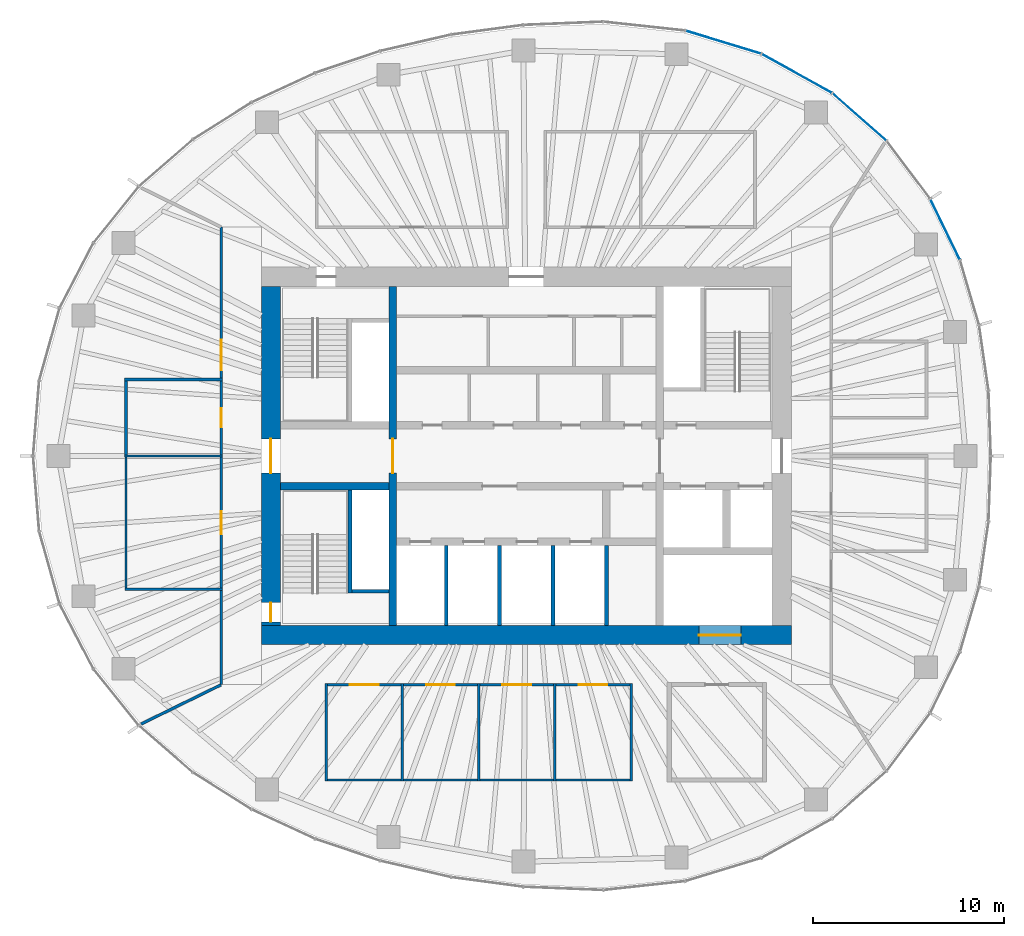
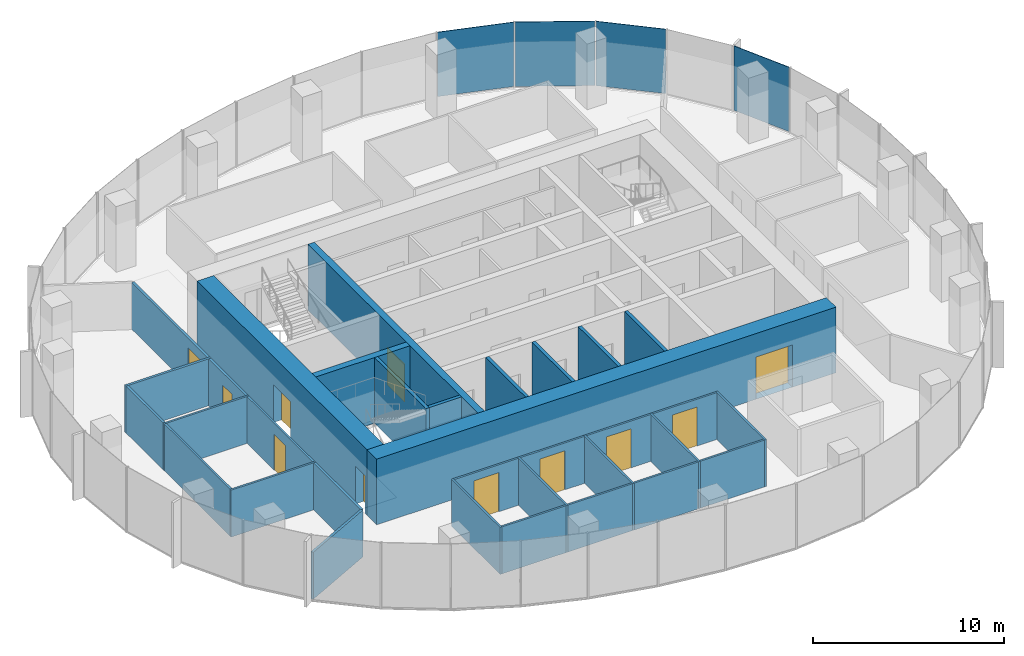
# One storey, part 8 of 11: 33 walls, 11 doors, 4 plates, 11 openings, 3 elements without a shape of their own.
"""IFC4 building model written with IfcOpenShell, lengths in metres."""

from ifc_helpers import new_model, si_unit, direction, frame, frame_2d, origin, origin_2d, place, context, subcontext, project, spatial, rectangle, extrude, material, layer, layer_set, type_object, element, fill, aggregate, save


model = new_model("IFC4")

# Units and contexts
model_context = context("Model", 3, precision=1e-05, world=origin(), true_north=direction((0.0, 1.0)))
body_context = subcontext(model_context, "Body", "Model", "MODEL_VIEW")
ifc_project = project(units=[si_unit("LENGTHUNIT", "METRE"), si_unit("AREAUNIT", "SQUARE_METRE"), si_unit("VOLUMEUNIT", "CUBIC_METRE"), si_unit("PLANEANGLEUNIT", "RADIAN"), si_unit("MASSUNIT", "GRAM", prefix="KILO")], contexts=[model_context])

# Site, building, storey
site_placement = place(None, origin())
site = spatial("IfcSite", under=ifc_project, at=site_placement, CompositionType="ELEMENT")
building_placement = place(site_placement, origin())
building = spatial("IfcBuilding", under=site, at=building_placement, Name="Ghaith Harvest Tower", CompositionType="ELEMENT")
storey_placement = place(building_placement, frame((0.0, 0.0, 275.39990234375)))
storey = spatial("IfcBuildingStorey", under=building, at=storey_placement, Name="L61", CompositionType="ELEMENT", Elevation=275.39990234375)

# Curtain wall, plate
ifc_material_1 = material(Name="Black anodised aluminium and fritted glass", Category="aluminium")
curtain_wall_type = type_object("IfcCurtainWallType", Name="CW-T CURTAIN WALL", PredefinedType="NOTDEFINED", material=ifc_material_1)
curtain_wall_1_placement = place(storey_placement, origin())
curtain_wall_1 = element("IfcCurtainWall", 1, at=curtain_wall_1_placement, inside=storey, type_object=curtain_wall_type, Name="Curtain wall CW-T bay 02 L61", PredefinedType="NOTDEFINED")
ifc_material_2 = material(Name="Glass, dark solar-control fritted double glazed unit", Category="glass")
ifc_layer_1 = layer(ifc_material_2, 0.033935546875)
ifc_layer_set_1 = layer_set([ifc_layer_1], Name="CW-T VISION PANEL")
plate_type = type_object("IfcPlateType", Name="CW-T VISION PANEL", PredefinedType="CURTAIN_PANEL", material=ifc_layer_set_1)
plate_1_placement = place(storey_placement, frame((21.9716796875, 11.878662109375, 0.080078125), z_axis=(0.0, 0.0, 1.0), x_axis=(-0.437968365148, 0.898990384337, 0.0)))
plate_1 = element("IfcPlate", 2, at=plate_1_placement, type_object=plate_type, Name="CW-T glass unit 2 bay 02 L61", PredefinedType="CURTAIN_PANEL", context=body_context, shape_type="SweptSolid", body=[
    extrude(rectangle(XDim=3.49365234375, YDim=0.033935546875, at=origin_2d()), origin(), (0.0, 0.0, 1.0), 4.1201171875),
])
aggregate(curtain_wall_1, [plate_1])

curtain_wall_2_placement = place(storey_placement, origin())
curtain_wall_2 = element("IfcCurtainWall", 3, at=curtain_wall_2_placement, inside=storey, type_object=curtain_wall_type, Name="Curtain wall CW-T bay 03 L61", PredefinedType="NOTDEFINED")
plate_2_placement = place(storey_placement, frame((17.47509765625, 17.779541015625, 0.080078125), z_axis=(0.0, 0.0, 1.0), x_axis=(-0.751334532416, 0.659921525941, 0.0)))
plate_2 = element("IfcPlate", 4, at=plate_2_placement, type_object=plate_type, Name="CW-T glass unit 2 bay 03 L61", PredefinedType="CURTAIN_PANEL", context=body_context, shape_type="SweptSolid", body=[
    extrude(rectangle(XDim=3.7158203125, YDim=0.033935546875, at=origin_2d()), origin(), (0.0, 0.0, 1.0), 4.1201171875),
])
aggregate(curtain_wall_2, [plate_2])

# Curtain wall, plates
curtain_wall_3_placement = place(storey_placement, origin())
curtain_wall_3 = element("IfcCurtainWall", 5, at=curtain_wall_3_placement, inside=storey, type_object=curtain_wall_type, Name="Curtain wall CW-T bay 04 L61", PredefinedType="NOTDEFINED")
plate_3_placement = place(storey_placement, frame((14.19189453125, 20.06201171875, 0.080078125), z_axis=(0.0, 0.0, 1.0), x_axis=(-0.87456402291, 0.484910063653, 0.0)))
plate_3 = element("IfcPlate", 6, at=plate_3_placement, type_object=plate_type, Name="CW-T glass unit 1 bay 04 L61", PredefinedType="CURTAIN_PANEL", context=body_context, shape_type="SweptSolid", body=[
    extrude(rectangle(XDim=4.167724609375, YDim=0.033935546875, at=origin_2d()), origin(), (0.0, 0.0, 1.0), 4.1201171875),
])
plate_4_placement = place(storey_placement, frame((10.337158203125, 21.700439453125, 0.080078125), z_axis=(0.0, 0.0, 1.0), x_axis=(-0.956587736124, 0.291444511181, 0.0)))
plate_4 = element("IfcPlate", 7, at=plate_4_placement, type_object=plate_type, Name="CW-T glass unit 2 bay 04 L61", PredefinedType="CURTAIN_PANEL", context=body_context, shape_type="SweptSolid", body=[
    extrude(rectangle(XDim=4.095703125, YDim=0.033935546875, at=origin_2d()), origin(), (0.0, 0.0, 1.0), 4.1201171875),
])
aggregate(curtain_wall_3, [plate_3, plate_4])

# Wall, opening, door
ifc_material_3 = material(Name="Concrete C50/60", Category="concrete")
ifc_layer_2 = layer(ifc_material_3, 1.0)
ifc_layer_set_2 = layer_set([ifc_layer_2], Name="CORE WALL CW1000")
wall_type_1 = type_object("IfcWallType", Name="CORE WALL CW1000", PredefinedType="SHEAR", material=ifc_layer_set_2)
wall_1_placement = place(storey_placement, frame((-13.89990234375, -9.39990234375, 0.0), z_axis=(0.0, 0.0, 1.0), x_axis=(1.0, 0.0, 0.0)))
wall_1 = element("IfcWall", 8, at=wall_1_placement, inside=storey, type_object=wall_type_1, Name="Core wall S L61", PredefinedType="SHEAR", context=body_context, shape_type="SweptSolid", body=[
    extrude(rectangle(XDim=27.7998046875, YDim=1.0, at=frame_2d((13.89990234375, 0.0))), origin(), (0.0, 0.0, 1.0), 4.2001953125),
])
opening_1_placement = place(wall_1_placement, frame((22.949951171875, 0.0, 0.0)))
opening_1 = element("IfcOpeningElement", 9, at=opening_1_placement, cuts=wall_1, Name="Opening 61-025", PredefinedType="OPENING", context=body_context, shape_type="SweptSolid", body=[
    extrude(rectangle(XDim=2.199951171875, YDim=2.699951171875, at=frame_2d((1.10009765625, 1.35009765625))), frame((0.0, 0.510009765625, 0.0), z_axis=(0.0, -1.0, 0.0), x_axis=(1.0, 0.0, 0.0)), (0.0, 0.0, 1.0), 1.02001953125),
])
ifc_material_4 = material(Name="Steel fire door", Category="steel")
door_type_1 = type_object("IfcDoorType", Name="LD3 LANDING 2200x2700", OperationType="DOUBLE_DOOR_SLIDING", PredefinedType="DOOR", material=ifc_material_4)
door_1_placement = place(opening_1_placement, origin())
door_1 = element("IfcDoor", 10, at=door_1_placement, inside=storey, type_object=door_type_1, Name="Landing door, goods lift GL1", OperationType="DOUBLE_DOOR_SLIDING", OverallHeight=2.699951171875, OverallWidth=2.199951171875, PredefinedType="DOOR", context=body_context, shape_type="SweptSolid", body=[
    extrude(rectangle(XDim=2.199951171875, YDim=2.699951171875, at=frame_2d((1.10009765625, 1.35009765625))), frame((0.0, 0.02490234375, 0.0), z_axis=(0.0, -1.0, 0.0), x_axis=(1.0, 0.0, 0.0)), (0.0, 0.0, 1.0), 0.050048828125),
])
fill(opening_1, door_1)

# Wall, openings, doors
wall_2_placement = place(storey_placement, frame((-13.39990234375, 8.89990234375, 0.0), z_axis=(0.0, 0.0, 1.0), x_axis=(0.0, -1.0, 0.0)))
wall_2 = element("IfcWall", 11, at=wall_2_placement, inside=storey, type_object=wall_type_1, Name="Core wall W L61", PredefinedType="SHEAR", context=body_context, shape_type="SweptSolid", body=[
    extrude(rectangle(XDim=17.7998046875, YDim=1.0, at=frame_2d((8.89990234375, 0.0))), origin(), (0.0, 0.0, 1.0), 4.2001953125),
])
opening_2_placement = place(wall_2_placement, frame((8.0, 0.0, 0.0)))
opening_2 = element("IfcOpeningElement", 12, at=opening_2_placement, cuts=wall_2, Name="Opening 61-001", PredefinedType="OPENING", context=body_context, shape_type="SweptSolid", body=[
    extrude(rectangle(XDim=1.800048828125, YDim=2.39990234375, at=frame_2d((0.89990234375, 1.199951171875))), frame((0.0, 0.510009765625, 0.0), z_axis=(0.0, -1.0, 0.0), x_axis=(1.0, 0.0, 0.0)), (0.0, 0.0, 1.0), 1.02001953125),
])
opening_3_placement = place(wall_2_placement, frame((16.60009765625, 0.0, 0.0)))
opening_3 = element("IfcOpeningElement", 13, at=opening_3_placement, cuts=wall_2, Name="Opening 61-006", PredefinedType="OPENING", context=body_context, shape_type="SweptSolid", body=[
    extrude(rectangle(XDim=1.0, YDim=2.39990234375, at=frame_2d((0.5, 1.199951171875))), frame((0.0, 0.510009765625, 0.0), z_axis=(0.0, -1.0, 0.0), x_axis=(1.0, 0.0, 0.0)), (0.0, 0.0, 1.0), 1.02001953125),
])
ifc_material_5 = material(Name="Steel fire door", Category="steel")
door_type_2 = type_object("IfcDoorType", Name="D3 FD90 1000x2400", OperationType="SINGLE_SWING_LEFT", PredefinedType="DOOR", material=ifc_material_5)
door_2_placement = place(opening_3_placement, origin())
door_2 = element("IfcDoor", 14, at=door_2_placement, inside=storey, type_object=door_type_2, Name="Stair ST3 door", OperationType="SINGLE_SWING_RIGHT", OverallHeight=2.39990234375, OverallWidth=1.0, PredefinedType="DOOR", context=body_context, shape_type="SweptSolid", body=[
    extrude(rectangle(XDim=1.0, YDim=2.39990234375, at=frame_2d((0.5, 1.199951171875))), frame((0.0, 0.02490234375, 0.0), z_axis=(0.0, -1.0, 0.0), x_axis=(1.0, 0.0, 0.0)), (0.0, 0.0, 1.0), 0.050048828125),
])
fill(opening_3, door_2)
ifc_material_6 = material(Name="Steel fire door", Category="steel")
door_type_3 = type_object("IfcDoorType", Name="D4 FD90 PAIR 1800x2400", OperationType="DOUBLE_DOOR_SINGLE_SWING", PredefinedType="DOOR", material=ifc_material_6)
door_3_placement = place(opening_2_placement, origin())
door_3 = element("IfcDoor", 15, at=door_3_placement, inside=storey, type_object=door_type_3, Name="West lobby doors", OperationType="DOUBLE_DOOR_SINGLE_SWING", OverallHeight=2.39990234375, OverallWidth=1.800048828125, PredefinedType="DOOR", context=body_context, shape_type="SweptSolid", body=[
    extrude(rectangle(XDim=1.800048828125, YDim=2.39990234375, at=frame_2d((0.89990234375, 1.199951171875))), frame((0.0, 0.02490234375, 0.0), z_axis=(0.0, -1.0, 0.0), x_axis=(1.0, 0.0, 0.0)), (0.0, 0.0, 1.0), 0.050048828125),
])
fill(opening_2, door_3)

# Walls
ifc_material_7 = material(Name="Insulated food-grade panel", Category="steel")
ifc_layer_3 = layer(ifc_material_7, 0.1201171875)
ifc_layer_set_3 = layer_set([ifc_layer_3], Name="INSULATED PANEL WALL 120")
wall_type_2 = type_object("IfcWallType", Name="INSULATED PANEL WALL 120", PredefinedType="PARTITIONING", material=ifc_layer_set_3)
for number, where, z_axis, x_axis, name in (
    (16, (-10.5, -11.93994140625, 0.0), (0.0, 0.0, 1.0), (0.0, -1.0, 0.0), "Partition L61 row S3 cross wall 1"),
    (17, (-6.5, -11.93994140625, 0.0), (0.0, 0.0, 1.0), (0.0, -1.0, 0.0), "Partition L61 row S3 cross wall 2"),
    (18, (-2.5, -11.93994140625, 0.0), (0.0, 0.0, 1.0), (0.0, -1.0, 0.0), "Partition L61 row S3 cross wall 3"),
    (19, (1.5, -11.93994140625, 0.0), (0.0, 0.0, 1.0), (0.0, -1.0, 0.0), "Partition L61 row S3 cross wall 4"),
    (20, (5.5, -11.93994140625, 0.0), (0.0, 0.0, 1.0), (0.0, -1.0, 0.0), "Partition L61 row S3 cross wall 5"),
):
    element("IfcWall", number, at=place(storey_placement, frame(where, z_axis=z_axis, x_axis=x_axis)), inside=storey, type_object=wall_type_2, Name=name, PredefinedType="PARTITIONING", context=body_context, shape_type="SweptSolid", body=[
        extrude(rectangle(XDim=5.1201171875, YDim=0.1201171875, at=frame_2d((2.56005859375, 0.0))), origin(), (0.0, 0.0, 1.0), 3.0),
    ])

# Wall, opening, door
wall_3_placement = place(storey_placement, frame((-10.43994140625, -12.0, 0.0), z_axis=(0.0, 0.0, 1.0), x_axis=(1.0, 0.0, 0.0)))
wall_3 = element("IfcWall", 21, at=wall_3_placement, inside=storey, type_object=wall_type_2, Name="Partition L61-04", PredefinedType="PARTITIONING", context=body_context, shape_type="SweptSolid", body=[
    extrude(rectangle(XDim=3.8798828125, YDim=0.1201171875, at=frame_2d((1.93994140625, 0.0))), origin(), (0.0, 0.0, 1.0), 3.0),
])
opening_4_placement = place(wall_3_placement, frame((1.18994140625, 0.0, 0.0)))
opening_4 = element("IfcOpeningElement", 22, at=opening_4_placement, cuts=wall_3, Name="Opening 61-029", PredefinedType="OPENING", context=body_context, shape_type="SweptSolid", body=[
    extrude(rectangle(XDim=1.5, YDim=2.5, at=frame_2d((0.75, 1.25))), frame((0.0, 0.070068359375, 0.0), z_axis=(0.0, -1.0, 0.0), x_axis=(1.0, 0.0, 0.0)), (0.0, 0.0, 1.0), 0.14013671875),
])
ifc_material_8 = material(Name="Insulated steel sliding door", Category="steel")
door_type_4 = type_object("IfcDoorType", Name="D13 COLD STORE SLIDING 1500x2500", OperationType="SLIDING_TO_LEFT", PredefinedType="DOOR", material=ifc_material_8)
door_4_placement = place(opening_4_placement, origin())
door_4 = element("IfcDoor", 23, at=door_4_placement, inside=storey, type_object=door_type_4, Name="Growth chamber door", OperationType="SLIDING_TO_LEFT", OverallHeight=2.5, OverallWidth=1.5, PredefinedType="DOOR", context=body_context, shape_type="SweptSolid", body=[
    extrude(rectangle(XDim=1.5, YDim=2.5, at=frame_2d((0.75, 1.25))), frame((0.0, 0.02490234375, 0.0), z_axis=(0.0, -1.0, 0.0), x_axis=(1.0, 0.0, 0.0)), (0.0, 0.0, 1.0), 0.050048828125),
])
fill(opening_4, door_4)

# Wall
wall_4_placement = place(storey_placement, frame((-10.43994140625, -17.0, 0.0), z_axis=(0.0, 0.0, 1.0), x_axis=(1.0, 0.0, 0.0)))
element("IfcWall", 24, at=wall_4_placement, inside=storey, type_object=wall_type_2, Name="Partition L61-04", PredefinedType="PARTITIONING", context=body_context, shape_type="SweptSolid", body=[
    extrude(rectangle(XDim=3.8798828125, YDim=0.1201171875, at=frame_2d((1.93994140625, 0.0))), origin(), (0.0, 0.0, 1.0), 3.0),
])

# Wall, opening, door
wall_5_placement = place(storey_placement, frame((-6.43994140625, -12.0, 0.0), z_axis=(0.0, 0.0, 1.0), x_axis=(1.0, 0.0, 0.0)))
wall_5 = element("IfcWall", 25, at=wall_5_placement, inside=storey, type_object=wall_type_2, Name="Partition L61-05", PredefinedType="PARTITIONING", context=body_context, shape_type="SweptSolid", body=[
    extrude(rectangle(XDim=3.8798828125, YDim=0.1201171875, at=frame_2d((1.93994140625, 0.0))), origin(), (0.0, 0.0, 1.0), 3.0),
])
opening_5_placement = place(wall_5_placement, frame((1.18994140625, 0.0, 0.0)))
opening_5 = element("IfcOpeningElement", 26, at=opening_5_placement, cuts=wall_5, Name="Opening 61-030", PredefinedType="OPENING", context=body_context, shape_type="SweptSolid", body=[
    extrude(rectangle(XDim=1.5, YDim=2.5, at=frame_2d((0.75, 1.25))), frame((0.0, 0.070068359375, 0.0), z_axis=(0.0, -1.0, 0.0), x_axis=(1.0, 0.0, 0.0)), (0.0, 0.0, 1.0), 0.14013671875),
])
door_5_placement = place(opening_5_placement, origin())
door_5 = element("IfcDoor", 27, at=door_5_placement, inside=storey, type_object=door_type_4, Name="Growth chamber door", OperationType="SLIDING_TO_LEFT", OverallHeight=2.5, OverallWidth=1.5, PredefinedType="DOOR", context=body_context, shape_type="SweptSolid", body=[
    extrude(rectangle(XDim=1.5, YDim=2.5, at=frame_2d((0.75, 1.25))), frame((0.0, 0.02490234375, 0.0), z_axis=(0.0, -1.0, 0.0), x_axis=(1.0, 0.0, 0.0)), (0.0, 0.0, 1.0), 0.050048828125),
])
fill(opening_5, door_5)

# Wall
wall_6_placement = place(storey_placement, frame((-6.43994140625, -17.0, 0.0), z_axis=(0.0, 0.0, 1.0), x_axis=(1.0, 0.0, 0.0)))
element("IfcWall", 28, at=wall_6_placement, inside=storey, type_object=wall_type_2, Name="Partition L61-05", PredefinedType="PARTITIONING", context=body_context, shape_type="SweptSolid", body=[
    extrude(rectangle(XDim=3.8798828125, YDim=0.1201171875, at=frame_2d((1.93994140625, 0.0))), origin(), (0.0, 0.0, 1.0), 3.0),
])

# Wall, opening, door
wall_7_placement = place(storey_placement, frame((-2.43994140625, -12.0, 0.0), z_axis=(0.0, 0.0, 1.0), x_axis=(1.0, 0.0, 0.0)))
wall_7 = element("IfcWall", 29, at=wall_7_placement, inside=storey, type_object=wall_type_2, Name="Partition L61-06", PredefinedType="PARTITIONING", context=body_context, shape_type="SweptSolid", body=[
    extrude(rectangle(XDim=3.8798828125, YDim=0.1201171875, at=frame_2d((1.93994140625, 0.0))), origin(), (0.0, 0.0, 1.0), 3.0),
])
opening_6_placement = place(wall_7_placement, frame((1.18994140625, 0.0, 0.0)))
opening_6 = element("IfcOpeningElement", 30, at=opening_6_placement, cuts=wall_7, Name="Opening 61-031", PredefinedType="OPENING", context=body_context, shape_type="SweptSolid", body=[
    extrude(rectangle(XDim=1.5, YDim=2.5, at=frame_2d((0.75, 1.25))), frame((0.0, 0.070068359375, 0.0), z_axis=(0.0, -1.0, 0.0), x_axis=(1.0, 0.0, 0.0)), (0.0, 0.0, 1.0), 0.14013671875),
])
door_6_placement = place(opening_6_placement, origin())
door_6 = element("IfcDoor", 31, at=door_6_placement, inside=storey, type_object=door_type_4, Name="Growth chamber door", OperationType="SLIDING_TO_LEFT", OverallHeight=2.5, OverallWidth=1.5, PredefinedType="DOOR", context=body_context, shape_type="SweptSolid", body=[
    extrude(rectangle(XDim=1.5, YDim=2.5, at=frame_2d((0.75, 1.25))), frame((0.0, 0.02490234375, 0.0), z_axis=(0.0, -1.0, 0.0), x_axis=(1.0, 0.0, 0.0)), (0.0, 0.0, 1.0), 0.050048828125),
])
fill(opening_6, door_6)

# Wall
wall_8_placement = place(storey_placement, frame((-2.43994140625, -17.0, 0.0), z_axis=(0.0, 0.0, 1.0), x_axis=(1.0, 0.0, 0.0)))
element("IfcWall", 32, at=wall_8_placement, inside=storey, type_object=wall_type_2, Name="Partition L61-06", PredefinedType="PARTITIONING", context=body_context, shape_type="SweptSolid", body=[
    extrude(rectangle(XDim=3.8798828125, YDim=0.1201171875, at=frame_2d((1.93994140625, 0.0))), origin(), (0.0, 0.0, 1.0), 3.0),
])

# Wall, opening, door
wall_9_placement = place(storey_placement, frame((1.56005859375, -12.0, 0.0), z_axis=(0.0, 0.0, 1.0), x_axis=(1.0, 0.0, 0.0)))
wall_9 = element("IfcWall", 33, at=wall_9_placement, inside=storey, type_object=wall_type_2, Name="Partition L61-07", PredefinedType="PARTITIONING", context=body_context, shape_type="SweptSolid", body=[
    extrude(rectangle(XDim=3.8798828125, YDim=0.1201171875, at=frame_2d((1.93994140625, 0.0))), origin(), (0.0, 0.0, 1.0), 3.0),
])
opening_7_placement = place(wall_9_placement, frame((1.18994140625, 0.0, 0.0)))
opening_7 = element("IfcOpeningElement", 34, at=opening_7_placement, cuts=wall_9, Name="Opening 61-032", PredefinedType="OPENING", context=body_context, shape_type="SweptSolid", body=[
    extrude(rectangle(XDim=1.5, YDim=2.5, at=frame_2d((0.75, 1.25))), frame((0.0, 0.070068359375, 0.0), z_axis=(0.0, -1.0, 0.0), x_axis=(1.0, 0.0, 0.0)), (0.0, 0.0, 1.0), 0.14013671875),
])
door_7_placement = place(opening_7_placement, origin())
door_7 = element("IfcDoor", 35, at=door_7_placement, inside=storey, type_object=door_type_4, Name="Growth chamber door", OperationType="SLIDING_TO_LEFT", OverallHeight=2.5, OverallWidth=1.5, PredefinedType="DOOR", context=body_context, shape_type="SweptSolid", body=[
    extrude(rectangle(XDim=1.5, YDim=2.5, at=frame_2d((0.75, 1.25))), frame((0.0, 0.02490234375, 0.0), z_axis=(0.0, -1.0, 0.0), x_axis=(1.0, 0.0, 0.0)), (0.0, 0.0, 1.0), 0.050048828125),
])
fill(opening_7, door_7)

# Walls
wall_10_placement = place(storey_placement, frame((1.56005859375, -17.0, 0.0), z_axis=(0.0, 0.0, 1.0), x_axis=(1.0, 0.0, 0.0)))
element("IfcWall", 36, at=wall_10_placement, inside=storey, type_object=wall_type_2, Name="Partition L61-07", PredefinedType="PARTITIONING", context=body_context, shape_type="SweptSolid", body=[
    extrude(rectangle(XDim=3.8798828125, YDim=0.1201171875, at=frame_2d((1.93994140625, 0.0))), origin(), (0.0, 0.0, 1.0), 3.0),
])
wall_11_placement = place(storey_placement, frame((-15.93994140625, -7.0, 0.0), z_axis=(0.0, 0.0, 1.0), x_axis=(-1.0, 0.0, 0.0)))
element("IfcWall", 37, at=wall_11_placement, inside=storey, type_object=wall_type_2, Name="Partition L61 row W5 cross wall 1", PredefinedType="PARTITIONING", context=body_context, shape_type="SweptSolid", body=[
    extrude(rectangle(XDim=5.1201171875, YDim=0.1201171875, at=frame_2d((2.56005859375, 0.0))), origin(), (0.0, 0.0, 1.0), 3.0),
])
wall_12_placement = place(storey_placement, frame((-15.925048828125, 0.0, 0.0), z_axis=(0.0, 0.0, 1.0), x_axis=(-1.0, 0.0, 0.0)))
element("IfcWall", 38, at=wall_12_placement, inside=storey, type_object=wall_type_2, Name="Partition L61 row W5 cross wall 2", PredefinedType="PARTITIONING", context=body_context, shape_type="SweptSolid", body=[
    extrude(rectangle(XDim=5.14990234375, YDim=0.1201171875, at=frame_2d((2.574951171875, 0.0))), origin(), (0.0, 0.0, 1.0), 3.0),
])

# Wall, opening, door
wall_13_placement = place(storey_placement, frame((-16.0, -6.93994140625, 0.0), z_axis=(0.0, 0.0, 1.0), x_axis=(0.0, 1.0, 0.0)))
wall_13 = element("IfcWall", 39, at=wall_13_placement, inside=storey, type_object=wall_type_2, Name="Partition L61-09", PredefinedType="PARTITIONING", context=body_context, shape_type="SweptSolid", body=[
    extrude(rectangle(XDim=6.8798828125, YDim=0.1201171875, at=frame_2d((3.43994140625, 0.0))), origin(), (0.0, 0.0, 1.0), 3.0),
])
opening_8_placement = place(wall_13_placement, frame((2.840087890625, 0.0, 0.0)))
opening_8 = element("IfcOpeningElement", 40, at=opening_8_placement, cuts=wall_13, Name="Opening 61-034", PredefinedType="OPENING", context=body_context, shape_type="SweptSolid", body=[
    extrude(rectangle(XDim=1.199951171875, YDim=2.300048828125, at=frame_2d((0.60009765625, 1.14990234375))), frame((0.0, 0.070068359375, 0.0), z_axis=(0.0, -1.0, 0.0), x_axis=(1.0, 0.0, 0.0)), (0.0, 0.0, 1.0), 0.14013671875),
])
ifc_material_9 = material(Name="Timber door with vision panel", Category="wood")
door_type_5 = type_object("IfcDoorType", Name="D15 LABORATORY 1200x2300", OperationType="SINGLE_SWING_LEFT", PredefinedType="DOOR", material=ifc_material_9)
door_8_placement = place(opening_8_placement, origin())
door_8 = element("IfcDoor", 41, at=door_8_placement, inside=storey, type_object=door_type_5, Name="Culture laboratory door", OperationType="SINGLE_SWING_LEFT", OverallHeight=2.300048828125, OverallWidth=1.199951171875, PredefinedType="DOOR", context=body_context, shape_type="SweptSolid", body=[
    extrude(rectangle(XDim=1.199951171875, YDim=2.300048828125, at=frame_2d((0.60009765625, 1.14990234375))), frame((0.0, 0.02490234375, 0.0), z_axis=(0.0, -1.0, 0.0), x_axis=(1.0, 0.0, 0.0)), (0.0, 0.0, 1.0), 0.050048828125),
])
fill(opening_8, door_8)

# Walls
wall_14_placement = place(storey_placement, frame((-21.0, -6.93994140625, 0.0), z_axis=(0.0, 0.0, 1.0), x_axis=(0.0, 1.0, 0.0)))
element("IfcWall", 42, at=wall_14_placement, inside=storey, type_object=wall_type_2, Name="Partition L61-09", PredefinedType="PARTITIONING", context=body_context, shape_type="SweptSolid", body=[
    extrude(rectangle(XDim=6.8798828125, YDim=0.1201171875, at=frame_2d((3.43994140625, 0.0))), origin(), (0.0, 0.0, 1.0), 3.0),
])
ifc_material_10 = material(Name="Concrete blockwork, 2-hour", Category="masonry")
ifc_layer_4 = layer(ifc_material_10, 0.199951171875)
ifc_layer_set_4 = layer_set([ifc_layer_4], Name="LIFT SHAFT WALL 200")
wall_type_3 = type_object("IfcWallType", Name="LIFT SHAFT WALL 200", PredefinedType="PARTITIONING", material=ifc_layer_set_4)
for number, where, z_axis, x_axis, name in (
    (43, (-4.199951171875, -4.699951171875, 0.0), (0.0, 0.0, 1.0), (0.0, -1.0, 0.0), "Lift shaft wall L61"),
    (44, (-1.39990234375, -4.699951171875, 0.0), (0.0, 0.0, 1.0), (0.0, -1.0, 0.0), "Lift shaft wall L61"),
    (45, (1.39990234375, -4.699951171875, 0.0), (0.0, 0.0, 1.0), (0.0, -1.0, 0.0), "Lift shaft wall L61"),
    (46, (4.199951171875, -4.699951171875, 0.0), (0.0, 0.0, 1.0), (0.0, -1.0, 0.0), "Lift shaft wall L61"),
):
    element("IfcWall", number, at=place(storey_placement, frame(where, z_axis=z_axis, x_axis=x_axis)), inside=storey, type_object=wall_type_3, Name=name, PredefinedType="PARTITIONING", context=body_context, shape_type="SweptSolid", body=[
        extrude(rectangle(XDim=4.199951171875, YDim=0.199951171875, at=frame_2d((2.10009765625, 0.0))), origin(), (0.0, 0.0, 1.0), 4.2001953125),
    ])
ifc_material_11 = material(Name="Gypsum board on steel studs", Category="steel")
ifc_layer_5 = layer(ifc_material_11, 0.14990234375)
ifc_layer_set_5 = layer_set([ifc_layer_5], Name="PARTITION 150")
wall_type_4 = type_object("IfcWallType", Name="PARTITION 150", PredefinedType="PARTITIONING", material=ifc_layer_set_5)
wall_15_placement = place(storey_placement, frame((-15.925048828125, 4.0, 0.0), z_axis=(0.0, 0.0, 1.0), x_axis=(-1.0, 0.0, 0.0)))
element("IfcWall", 47, at=wall_15_placement, inside=storey, type_object=wall_type_4, Name="Partition L61 row W5 cross wall 3", PredefinedType="PARTITIONING", context=body_context, shape_type="SweptSolid", body=[
    extrude(rectangle(XDim=5.14990234375, YDim=0.14990234375, at=frame_2d((2.574951171875, 0.0))), origin(), (0.0, 0.0, 1.0), 3.0),
])

# Wall, opening, door
wall_16_placement = place(storey_placement, frame((-16.0, 0.06005859375, 0.0), z_axis=(0.0, 0.0, 1.0), x_axis=(0.0, 1.0, 0.0)))
wall_16 = element("IfcWall", 48, at=wall_16_placement, inside=storey, type_object=wall_type_4, Name="Partition L61-10", PredefinedType="PARTITIONING", context=body_context, shape_type="SweptSolid", body=[
    extrude(rectangle(XDim=3.864990234375, YDim=0.14990234375, at=frame_2d((1.9326171875, 0.0))), origin(), (0.0, 0.0, 1.0), 3.0),
])
opening_9_placement = place(wall_16_placement, frame((1.4326171875, 0.0, 0.0)))
opening_9 = element("IfcOpeningElement", 49, at=opening_9_placement, cuts=wall_16, Name="Opening 61-035", PredefinedType="OPENING", context=body_context, shape_type="SweptSolid", body=[
    extrude(rectangle(XDim=1.0, YDim=2.199951171875, at=frame_2d((0.5, 1.10009765625))), frame((0.0, 0.0849609375, 0.0), z_axis=(0.0, -1.0, 0.0), x_axis=(1.0, 0.0, 0.0)), (0.0, 0.0, 1.0), 0.169921875),
])
ifc_material_12 = material(Name="Timber door", Category="wood")
door_type_6 = type_object("IfcDoorType", Name="D1 SINGLE 1000x2200", OperationType="SINGLE_SWING_LEFT", PredefinedType="DOOR", material=ifc_material_12)
door_9_placement = place(opening_9_placement, origin())
door_9 = element("IfcDoor", 50, at=door_9_placement, inside=storey, type_object=door_type_6, Name="Store door", OperationType="SINGLE_SWING_LEFT", OverallHeight=2.199951171875, OverallWidth=1.0, PredefinedType="DOOR", context=body_context, shape_type="SweptSolid", body=[
    extrude(rectangle(XDim=1.0, YDim=2.199951171875, at=frame_2d((0.5, 1.10009765625))), frame((0.0, 0.02490234375, 0.0), z_axis=(0.0, -1.0, 0.0), x_axis=(1.0, 0.0, 0.0)), (0.0, 0.0, 1.0), 0.050048828125),
])
fill(opening_9, door_9)

# Walls
wall_17_placement = place(storey_placement, frame((-21.0, 0.06005859375, 0.0), z_axis=(0.0, 0.0, 1.0), x_axis=(0.0, 1.0, 0.0)))
element("IfcWall", 51, at=wall_17_placement, inside=storey, type_object=wall_type_4, Name="Partition L61-10", PredefinedType="PARTITIONING", context=body_context, shape_type="SweptSolid", body=[
    extrude(rectangle(XDim=3.864990234375, YDim=0.14990234375, at=frame_2d((1.9326171875, 0.0))), origin(), (0.0, 0.0, 1.0), 3.0),
])
wall_18_placement = place(storey_placement, frame((-16.017822265625, -12.0087890625, 0.0), z_axis=(0.0, 0.0, 1.0), x_axis=(-0.897771840996, -0.440460805879, 0.0)))
element("IfcWall", 52, at=wall_18_placement, inside=storey, type_object=wall_type_4, Name="Partition L61 zone division", PredefinedType="PARTITIONING", context=body_context, shape_type="SweptSolid", body=[
    extrude(rectangle(XDim=4.66552734375, YDim=0.14990234375, at=frame_2d((2.332763671875, 0.0))), origin(), (0.0, 0.0, 1.0), 3.0),
])
wall_19_placement = place(storey_placement, frame((-16.0, -7.0, 0.0), z_axis=(0.0, 0.0, 1.0), x_axis=(0.0, -1.0, 0.0)))
element("IfcWall", 53, at=wall_19_placement, inside=storey, type_object=wall_type_4, Name="Partition L61 zone enclosure", PredefinedType="PARTITIONING", context=body_context, shape_type="SweptSolid", body=[
    extrude(rectangle(XDim=5.0, YDim=0.14990234375, at=frame_2d((2.5, 0.0))), origin(), (0.0, 0.0, 1.0), 3.0),
])

# Wall, opening, door
wall_20_placement = place(storey_placement, frame((-16.0, 12.0, 0.0), z_axis=(0.0, 0.0, 1.0), x_axis=(0.0, -1.0, 0.0)))
wall_20 = element("IfcWall", 54, at=wall_20_placement, inside=storey, type_object=wall_type_4, Name="Partition L61 zone enclosure", PredefinedType="PARTITIONING", context=body_context, shape_type="SweptSolid", body=[
    extrude(rectangle(XDim=8.0, YDim=0.14990234375, at=frame_2d((4.0, 0.0))), origin(), (0.0, 0.0, 1.0), 3.0),
])
opening_10_placement = place(wall_20_placement, frame((5.89990234375, 0.0, 0.0)))
opening_10 = element("IfcOpeningElement", 55, at=opening_10_placement, cuts=wall_20, Name="Opening 61-039", PredefinedType="OPENING", context=body_context, shape_type="SweptSolid", body=[
    extrude(rectangle(XDim=1.60009765625, YDim=2.39990234375, at=frame_2d((0.800048828125, 1.199951171875))), frame((0.0, 0.0849609375, 0.0), z_axis=(0.0, -1.0, 0.0), x_axis=(1.0, 0.0, 0.0)), (0.0, 0.0, 1.0), 0.169921875),
])
ifc_material_13 = material(Name="Timber door", Category="wood")
door_type_7 = type_object("IfcDoorType", Name="D2 PAIR 1600x2400", OperationType="DOUBLE_DOOR_SINGLE_SWING", PredefinedType="DOOR", material=ifc_material_13)
door_10_placement = place(opening_10_placement, origin())
door_10 = element("IfcDoor", 56, at=door_10_placement, inside=storey, type_object=door_type_7, Name="Tissue culture growing area west door", OperationType="DOUBLE_DOOR_SINGLE_SWING", OverallHeight=2.39990234375, OverallWidth=1.60009765625, PredefinedType="DOOR", context=body_context, shape_type="SweptSolid", body=[
    extrude(rectangle(XDim=1.60009765625, YDim=2.39990234375, at=frame_2d((0.800048828125, 1.199951171875))), frame((0.0, 0.02490234375, 0.0), z_axis=(0.0, -1.0, 0.0), x_axis=(1.0, 0.0, 0.0)), (0.0, 0.0, 1.0), 0.050048828125),
])
fill(opening_10, door_10)

ifc_material_14 = material(Name="Concrete C70/85", Category="concrete")
ifc_layer_6 = layer(ifc_material_14, 0.39990234375)
ifc_layer_set_6 = layer_set([ifc_layer_6], Name="SHAFT WALL 400")
wall_type_5 = type_object("IfcWallType", Name="SHAFT WALL 400", PredefinedType="SHEAR", material=ifc_layer_set_6)
wall_21_placement = place(storey_placement, frame((-7.0, -8.89990234375, 0.0), z_axis=(0.0, 0.0, 1.0), x_axis=(0.0, 1.0, 0.0)))
wall_21 = element("IfcWall", 57, at=wall_21_placement, inside=storey, type_object=wall_type_5, Name="Shaft wall W7W L61", PredefinedType="SHEAR", context=body_context, shape_type="SweptSolid", body=[
    extrude(rectangle(XDim=17.7998046875, YDim=0.39990234375, at=frame_2d((8.89990234375, 0.0))), origin(), (0.0, 0.0, 1.0), 4.2001953125),
])
opening_11_placement = place(wall_21_placement, frame((8.0, 0.0, 0.0)))
opening_11 = element("IfcOpeningElement", 58, at=opening_11_placement, cuts=wall_21, Name="Opening 61-003", PredefinedType="OPENING", context=body_context, shape_type="SweptSolid", body=[
    extrude(rectangle(XDim=1.800048828125, YDim=2.39990234375, at=frame_2d((0.89990234375, 1.199951171875))), frame((0.0, 0.2099609375, 0.0), z_axis=(0.0, -1.0, 0.0), x_axis=(1.0, 0.0, 0.0)), (0.0, 0.0, 1.0), 0.419921875),
])
door_11_placement = place(opening_11_placement, origin())
door_11 = element("IfcDoor", 59, at=door_11_placement, inside=storey, type_object=door_type_3, Name="Lift lobby doors, west", OperationType="DOUBLE_DOOR_SINGLE_SWING", OverallHeight=2.39990234375, OverallWidth=1.800048828125, PredefinedType="DOOR", context=body_context, shape_type="SweptSolid", body=[
    extrude(rectangle(XDim=1.800048828125, YDim=2.39990234375, at=frame_2d((0.89990234375, 1.199951171875))), frame((0.0, 0.02490234375, 0.0), z_axis=(0.0, -1.0, 0.0), x_axis=(1.0, 0.0, 0.0)), (0.0, 0.0, 1.0), 0.050048828125),
])
fill(opening_11, door_11)

# Walls
wall_22_placement = place(storey_placement, frame((-12.89990234375, -1.60009765625, 0.0), z_axis=(0.0, 0.0, 1.0), x_axis=(1.0, 0.0, 0.0)))
element("IfcWall", 60, at=wall_22_placement, inside=storey, type_object=wall_type_5, Name="Shaft wall WS L61", PredefinedType="SHEAR", context=body_context, shape_type="SweptSolid", body=[
    extrude(rectangle(XDim=5.699951171875, YDim=0.39990234375, at=frame_2d((2.85009765625, 0.0))), origin(), (0.0, 0.0, 1.0), 4.2001953125),
])
ifc_material_15 = material(Name="Concrete C40/50", Category="concrete")
ifc_layer_7 = layer(ifc_material_15, 0.199951171875)
ifc_layer_set_7 = layer_set([ifc_layer_7], Name="STAIR SPINE WALL RC200")
wall_type_6 = type_object("IfcWallType", Name="STAIR SPINE WALL RC200", PredefinedType="SOLIDWALL", material=ifc_layer_set_7)
wall_23_placement = place(storey_placement, frame((-9.25, -7.199951171875, 0.0), z_axis=(0.0, 0.0, 1.0), x_axis=(0.0, 1.0, 0.0)))
element("IfcWall", 61, at=wall_23_placement, inside=storey, type_object=wall_type_6, Name="Stair ST3 spine wall L61", PredefinedType="SOLIDWALL", context=body_context, shape_type="SweptSolid", body=[
    extrude(rectangle(XDim=5.39990234375, YDim=0.199951171875, at=frame_2d((2.699951171875, 0.0))), origin(), (0.0, 0.0, 1.0), 4.2001953125),
])
wall_24_placement = place(storey_placement, frame((-9.14990234375, -7.10009765625, 0.0), z_axis=(0.0, 0.0, 1.0), x_axis=(1.0, 0.0, 0.0)))
element("IfcWall", 62, at=wall_24_placement, inside=storey, type_object=wall_type_6, Name="Stair ST3 spine wall return L61", PredefinedType="SOLIDWALL", context=body_context, shape_type="SweptSolid", body=[
    extrude(rectangle(XDim=1.949951171875, YDim=0.199951171875, at=frame_2d((0.97509765625, 0.0))), origin(), (0.0, 0.0, 1.0), 4.2001953125),
])

save(model, "model.ifc")
